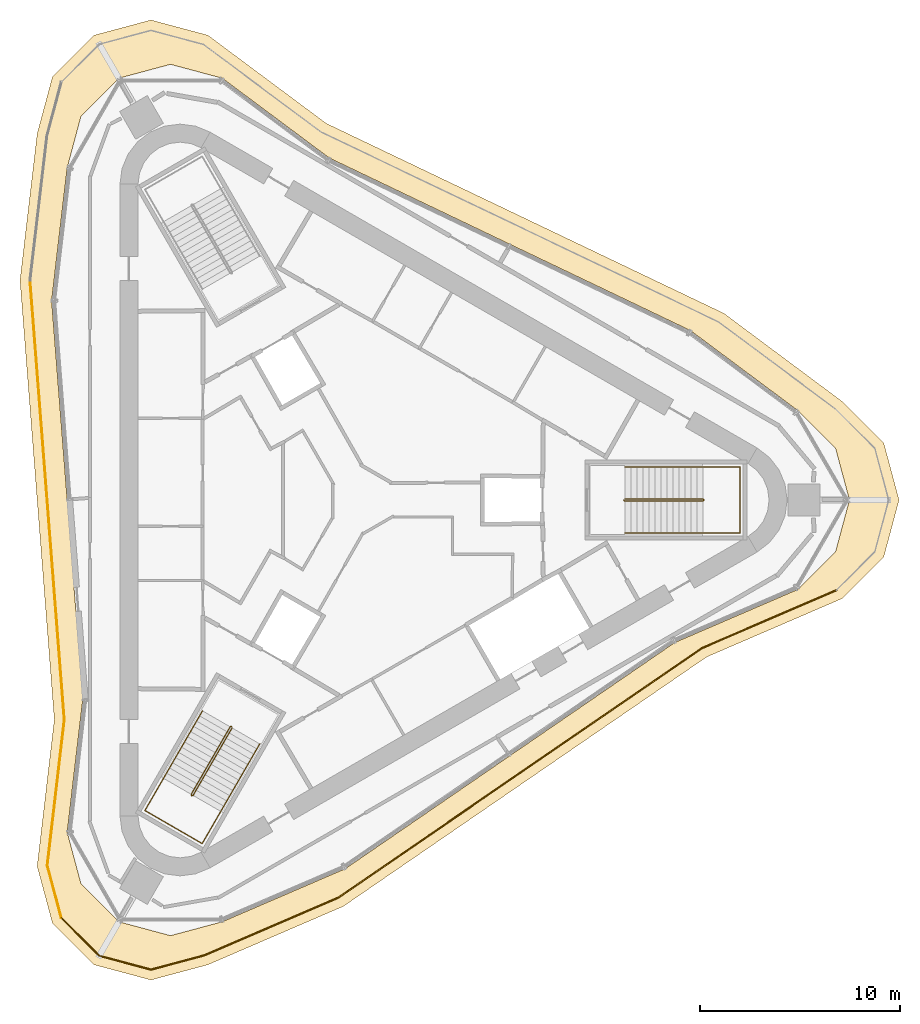
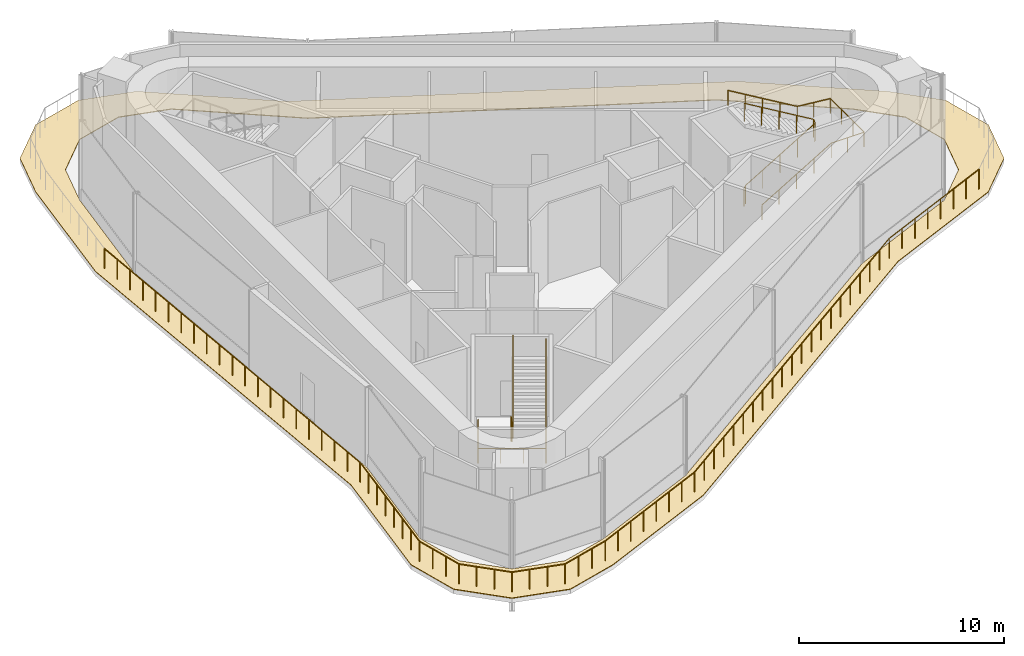
# One storey, part 7 of 8: 12 railings, 1 covering.
"""IFC4 building model written with IfcOpenShell, lengths in metres."""

from ifc_helpers import new_model, si_unit, direction, frame, origin, origin_2d, place, context, subcontext, project, spatial, polyline, circle, outline, extrude, material, layer, layer_set, type_object, element, save


model = new_model("IFC4")

# Units and contexts
model_context = context("Model", 3, precision=1e-05, world=origin(), true_north=direction((0.0, 1.0)))
body_context = subcontext(model_context, "Body", "Model", "MODEL_VIEW")
ifc_project = project(units=[si_unit("LENGTHUNIT", "METRE"), si_unit("AREAUNIT", "SQUARE_METRE"), si_unit("VOLUMEUNIT", "CUBIC_METRE"), si_unit("PLANEANGLEUNIT", "RADIAN"), si_unit("MASSUNIT", "GRAM", prefix="KILO")], contexts=[model_context])

# Site, building, storey
site_placement = place(None, origin())
site = spatial("IfcSite", under=ifc_project, at=site_placement, CompositionType="ELEMENT")
building_placement = place(site_placement, origin())
building = spatial("IfcBuilding", under=site, at=building_placement, Name="Tanit Gate Tower", CompositionType="ELEMENT")
storey_placement = place(building_placement, frame((0.0, 0.0, 435.300048828125)))
storey = spatial("IfcBuildingStorey", under=building, at=storey_placement, Name="L98", CompositionType="ELEMENT", Elevation=435.300048828125)

# Railings
ifc_material_1 = material(Name="Stainless steel", Category="steel")
railing_type_1 = type_object("IfcRailingType", Name="Guard 1200 terrace balustrade", PredefinedType="GUARDRAIL", material=ifc_material_1)
railing_1_placement = place(storey_placement, frame((23.6591796875, -4.49951171875, 0.0400390625)))
element("IfcRailing", 1, at=railing_1_placement, inside=storey, type_object=railing_type_1, Name="Terrace guard L98 1", PredefinedType="GUARDRAIL", context=body_context, shape_type="SweptSolid", body=[
    extrude(circle(Radius=0.02392578125, at=origin_2d()), frame((0.0, 0.0, 1.17578125), z_axis=(-0.918303791551, -0.395876428224, 0.0), x_axis=(0.395876428224, -0.918303791551, 0.0)), (0.0, 0.0, 1.0), 7.3134765625),
    extrude(circle(Radius=0.02099609375, at=origin_2d()), origin(), (0.0, 0.0, 1.0), 1.15185546875),
    extrude(circle(Radius=0.02099609375, at=origin_2d()), frame((-0.95947265625, -0.41357421875, 0.0)), (0.0, 0.0, 1.0), 1.15185546875),
    extrude(circle(Radius=0.02099609375, at=origin_2d()), frame((-1.9189453125, -0.8271484375, 0.0)), (0.0, 0.0, 1.0), 1.15185546875),
    extrude(circle(Radius=0.02099609375, at=origin_2d()), frame((-2.87841796875, -1.24072265625, 0.0)), (0.0, 0.0, 1.0), 1.15185546875),
    extrude(circle(Radius=0.02099609375, at=origin_2d()), frame((-3.837646484375, -1.654541015625, 0.0)), (0.0, 0.0, 1.0), 1.15185546875),
    extrude(circle(Radius=0.02099609375, at=origin_2d()), frame((-4.797119140625, -2.068115234375, 0.0)), (0.0, 0.0, 1.0), 1.15185546875),
    extrude(circle(Radius=0.02099609375, at=origin_2d()), frame((-5.756591796875, -2.481689453125, 0.0)), (0.0, 0.0, 1.0), 1.15185546875),
    extrude(circle(Radius=0.02099609375, at=origin_2d()), frame((-6.716064453125, -2.895263671875, 0.0)), (0.0, 0.0, 1.0), 1.15185546875),
])
railing_2_placement = place(storey_placement, frame((16.943115234375, -7.394775390625, 0.0400390625)))
element("IfcRailing", 2, at=railing_2_placement, inside=storey, type_object=railing_type_1, Name="Terrace guard L98 1", PredefinedType="GUARDRAIL", context=body_context, shape_type="SweptSolid", body=[
    extrude(circle(Radius=0.02392578125, at=origin_2d()), frame((0.0, 0.0, 1.17578125), z_axis=(-0.824485940476, -0.565882438283, 0.0), x_axis=(0.565882438283, -0.824485940476, 0.0)), (0.0, 0.0, 1.0), 10.99951171875),
    extrude(circle(Radius=0.02099609375, at=origin_2d()), origin(), (0.0, 0.0, 1.0), 1.15185546875),
    extrude(circle(Radius=0.02099609375, at=origin_2d()), frame((-0.906982421875, -0.62255859375, 0.0)), (0.0, 0.0, 1.0), 1.15185546875),
    extrude(circle(Radius=0.02099609375, at=origin_2d()), frame((-1.813720703125, -1.244873046875, 0.0)), (0.0, 0.0, 1.0), 1.15185546875),
    extrude(circle(Radius=0.02099609375, at=origin_2d()), frame((-2.720703125, -1.8671875, 0.0)), (0.0, 0.0, 1.0), 1.15185546875),
    extrude(circle(Radius=0.02099609375, at=origin_2d()), frame((-3.62744140625, -2.48974609375, 0.0)), (0.0, 0.0, 1.0), 1.15185546875),
    extrude(circle(Radius=0.02099609375, at=origin_2d()), frame((-4.534423828125, -3.1123046875, 0.0)), (0.0, 0.0, 1.0), 1.15185546875),
    extrude(circle(Radius=0.02099609375, at=origin_2d()), frame((-5.44140625, -3.734619140625, 0.0)), (0.0, 0.0, 1.0), 1.15185546875),
    extrude(circle(Radius=0.02099609375, at=origin_2d()), frame((-6.34814453125, -4.35693359375, 0.0)), (0.0, 0.0, 1.0), 1.15185546875),
    extrude(circle(Radius=0.02099609375, at=origin_2d()), frame((-7.255126953125, -4.9794921875, 0.0)), (0.0, 0.0, 1.0), 1.15185546875),
    extrude(circle(Radius=0.02099609375, at=origin_2d()), frame((-8.161865234375, -5.60205078125, 0.0)), (0.0, 0.0, 1.0), 1.15185546875),
    extrude(circle(Radius=0.02099609375, at=origin_2d()), frame((-9.06884765625, -6.224365234375, 0.0)), (0.0, 0.0, 1.0), 1.15185546875),
])
railing_3_placement = place(storey_placement, frame((7.874267578125, -13.619140625, 0.0400390625)))
element("IfcRailing", 3, at=railing_3_placement, inside=storey, type_object=railing_type_1, Name="Terrace guard L98 1", PredefinedType="GUARDRAIL", context=body_context, shape_type="SweptSolid", body=[
    extrude(circle(Radius=0.02392578125, at=origin_2d()), frame((0.0, 0.0, 1.17578125), z_axis=(-0.82447558474, -0.565897526208, 0.0), x_axis=(0.565897526208, -0.82447558474, 0.0)), (0.0, 0.0, 1.0), 10.99951171875),
    extrude(circle(Radius=0.02099609375, at=origin_2d()), origin(), (0.0, 0.0, 1.0), 1.15185546875),
    extrude(circle(Radius=0.02099609375, at=origin_2d()), frame((-0.906982421875, -0.62255859375, 0.0)), (0.0, 0.0, 1.0), 1.15185546875),
    extrude(circle(Radius=0.02099609375, at=origin_2d()), frame((-1.813720703125, -1.244873046875, 0.0)), (0.0, 0.0, 1.0), 1.15185546875),
    extrude(circle(Radius=0.02099609375, at=origin_2d()), frame((-2.720703125, -1.867431640625, 0.0)), (0.0, 0.0, 1.0), 1.15185546875),
    extrude(circle(Radius=0.02099609375, at=origin_2d()), frame((-3.62744140625, -2.48974609375, 0.0)), (0.0, 0.0, 1.0), 1.15185546875),
    extrude(circle(Radius=0.02099609375, at=origin_2d()), frame((-4.534423828125, -3.1123046875, 0.0)), (0.0, 0.0, 1.0), 1.15185546875),
    extrude(circle(Radius=0.02099609375, at=origin_2d()), frame((-5.44140625, -3.73486328125, 0.0)), (0.0, 0.0, 1.0), 1.15185546875),
    extrude(circle(Radius=0.02099609375, at=origin_2d()), frame((-6.34814453125, -4.357177734375, 0.0)), (0.0, 0.0, 1.0), 1.15185546875),
    extrude(circle(Radius=0.02099609375, at=origin_2d()), frame((-7.255126953125, -4.979736328125, 0.0)), (0.0, 0.0, 1.0), 1.15185546875),
    extrude(circle(Radius=0.02099609375, at=origin_2d()), frame((-8.161865234375, -5.60205078125, 0.0)), (0.0, 0.0, 1.0), 1.15185546875),
    extrude(circle(Radius=0.02099609375, at=origin_2d()), frame((-9.06884765625, -6.224609375, 0.0)), (0.0, 0.0, 1.0), 1.15185546875),
])
railing_4_placement = place(storey_placement, frame((-1.194580078125, -19.84375, 0.0400390625)))
element("IfcRailing", 4, at=railing_4_placement, inside=storey, type_object=railing_type_1, Name="Terrace guard L98 1", PredefinedType="GUARDRAIL", context=body_context, shape_type="SweptSolid", body=[
    extrude(circle(Radius=0.02392578125, at=origin_2d()), frame((0.0, 0.0, 1.17578125), z_axis=(-0.91830810231, -0.395866428523, 0.0), x_axis=(0.395866428523, -0.91830810231, 0.0)), (0.0, 0.0, 1.0), 7.275390625),
    extrude(circle(Radius=0.02392578125, at=origin_2d()), frame((-6.68115234375, -2.880126953125, 1.17578125), z_axis=(-0.965931532633, -0.258797747796, 0.0), x_axis=(0.258797747796, -0.965931532633, 0.0)), (0.0, 0.0, 1.0), 2.770751953125),
    extrude(circle(Radius=0.02099609375, at=origin_2d()), origin(), (0.0, 0.0, 1.0), 1.15185546875),
    extrude(circle(Radius=0.02099609375, at=origin_2d()), frame((-0.954345703125, -0.411376953125, 0.0)), (0.0, 0.0, 1.0), 1.15185546875),
    extrude(circle(Radius=0.02099609375, at=origin_2d()), frame((-1.908935546875, -0.822998046875, 0.0)), (0.0, 0.0, 1.0), 1.15185546875),
    extrude(circle(Radius=0.02099609375, at=origin_2d()), frame((-2.86328125, -1.234375, 0.0)), (0.0, 0.0, 1.0), 1.15185546875),
    extrude(circle(Radius=0.02099609375, at=origin_2d()), frame((-3.81787109375, -1.645751953125, 0.0)), (0.0, 0.0, 1.0), 1.15185546875),
    extrude(circle(Radius=0.02099609375, at=origin_2d()), frame((-4.772216796875, -2.05712890625, 0.0)), (0.0, 0.0, 1.0), 1.15185546875),
    extrude(circle(Radius=0.02099609375, at=origin_2d()), frame((-5.726806640625, -2.46875, 0.0)), (0.0, 0.0, 1.0), 1.15185546875),
    extrude(circle(Radius=0.02099609375, at=origin_2d()), frame((-6.68115234375, -2.880126953125, 0.0)), (0.0, 0.0, 1.0), 1.15185546875),
    extrude(circle(Radius=0.02099609375, at=origin_2d()), frame((-7.5732421875, -3.119140625, 0.0)), (0.0, 0.0, 1.0), 1.15185546875),
    extrude(circle(Radius=0.02099609375, at=origin_2d()), frame((-8.46533203125, -3.358154296875, 0.0)), (0.0, 0.0, 1.0), 1.15185546875),
    extrude(circle(Radius=0.02099609375, at=origin_2d()), frame((-9.357421875, -3.59716796875, 0.0)), (0.0, 0.0, 1.0), 1.15185546875),
])
railing_5_placement = place(storey_placement, frame((-10.552001953125, -23.44091796875, 0.0400390625)))
element("IfcRailing", 5, at=railing_5_placement, inside=storey, type_object=railing_type_1, Name="Terrace guard L98 1", PredefinedType="GUARDRAIL", context=body_context, shape_type="SweptSolid", body=[
    extrude(circle(Radius=0.02392578125, at=origin_2d()), frame((0.0, 0.0, 1.17578125), z_axis=(-0.965928077566, 0.258810643077, 0.0), x_axis=(-0.258810643077, -0.965928077566, 0.0)), (0.0, 0.0, 1.0), 2.67333984375),
    extrude(circle(Radius=0.02392578125, at=origin_2d()), frame((-2.582275390625, 0.69189453125, 1.17578125), z_axis=(-0.707106781187, 0.707106781187, 0.0), x_axis=(-0.707106781187, -0.707106781187, 0.0)), (0.0, 0.0, 1.0), 2.673095703125),
    extrude(circle(Radius=0.02099609375, at=origin_2d()), origin(), (0.0, 0.0, 1.0), 1.15185546875),
    extrude(circle(Radius=0.02099609375, at=origin_2d()), frame((-0.86083984375, 0.230712890625, 0.0)), (0.0, 0.0, 1.0), 1.15185546875),
    extrude(circle(Radius=0.02099609375, at=origin_2d()), frame((-1.721435546875, 0.461181640625, 0.0)), (0.0, 0.0, 1.0), 1.15185546875),
    extrude(circle(Radius=0.02099609375, at=origin_2d()), frame((-2.582275390625, 0.69189453125, 0.0)), (0.0, 0.0, 1.0), 1.15185546875),
    extrude(circle(Radius=0.02099609375, at=origin_2d()), frame((-3.21240234375, 1.322021484375, 0.0)), (0.0, 0.0, 1.0), 1.15185546875),
    extrude(circle(Radius=0.02099609375, at=origin_2d()), frame((-3.84228515625, 1.951904296875, 0.0)), (0.0, 0.0, 1.0), 1.15185546875),
    extrude(circle(Radius=0.02099609375, at=origin_2d()), frame((-4.472412109375, 2.58203125, 0.0)), (0.0, 0.0, 1.0), 1.15185546875),
])
railing_6_placement = place(storey_placement, frame((-15.0244140625, -20.85888671875, 0.0400390625)))
element("IfcRailing", 6, at=railing_6_placement, inside=storey, type_object=railing_type_1, Name="Terrace guard L98 1", PredefinedType="GUARDRAIL", context=body_context, shape_type="SweptSolid", body=[
    extrude(circle(Radius=0.02392578125, at=origin_2d()), frame((0.0, 0.0, 1.17578125), z_axis=(-0.258856096713, 0.965915897578, 0.0), x_axis=(-0.965915897578, -0.258856096713, 0.0)), (0.0, 0.0, 1.0), 2.711669921875),
    extrude(circle(Radius=0.02392578125, at=origin_2d()), frame((-0.701904296875, 2.619140625, 1.17578125), z_axis=(0.11633571969, 0.993209947757, 0.0), x_axis=(-0.993209947757, 0.11633571969, 0.0)), (0.0, 0.0, 1.0), 7.3134765625),
    extrude(circle(Radius=0.02099609375, at=origin_2d()), origin(), (0.0, 0.0, 1.0), 1.15185546875),
    extrude(circle(Radius=0.02099609375, at=origin_2d()), frame((-0.23388671875, 0.873046875, 0.0)), (0.0, 0.0, 1.0), 1.15185546875),
    extrude(circle(Radius=0.02099609375, at=origin_2d()), frame((-0.468017578125, 1.74609375, 0.0)), (0.0, 0.0, 1.0), 1.15185546875),
    extrude(circle(Radius=0.02099609375, at=origin_2d()), frame((-0.701904296875, 2.619140625, 0.0)), (0.0, 0.0, 1.0), 1.15185546875),
    extrude(circle(Radius=0.02099609375, at=origin_2d()), frame((-0.580322265625, 3.65673828125, 0.0)), (0.0, 0.0, 1.0), 1.15185546875),
    extrude(circle(Radius=0.02099609375, at=origin_2d()), frame((-0.458740234375, 4.694580078125, 0.0)), (0.0, 0.0, 1.0), 1.15185546875),
    extrude(circle(Radius=0.02099609375, at=origin_2d()), frame((-0.337158203125, 5.732177734375, 0.0)), (0.0, 0.0, 1.0), 1.15185546875),
    extrude(circle(Radius=0.02099609375, at=origin_2d()), frame((-0.2158203125, 6.77001953125, 0.0)), (0.0, 0.0, 1.0), 1.15185546875),
    extrude(circle(Radius=0.02099609375, at=origin_2d()), frame((-0.09423828125, 7.8076171875, 0.0)), (0.0, 0.0, 1.0), 1.15185546875),
    extrude(circle(Radius=0.02099609375, at=origin_2d()), frame((0.02734375, 8.845458984375, 0.0)), (0.0, 0.0, 1.0), 1.15185546875),
    extrude(circle(Radius=0.02099609375, at=origin_2d()), frame((0.14892578125, 9.883056640625, 0.0)), (0.0, 0.0, 1.0), 1.15185546875),
])
for number, where, name in (
    (7, (-14.87548828125, -10.975830078125, 0.0400390625), "Terrace guard L98 1"),
    (8, (-15.731689453125, -0.009765625, 0.0400390625), "Terrace guard L98 1"),
):
    element("IfcRailing", number, at=place(storey_placement, frame(where)), inside=storey, type_object=railing_type_1, Name=name, PredefinedType="GUARDRAIL", context=body_context, shape_type="SweptSolid", body=[
        extrude(circle(Radius=0.02392578125, at=origin_2d()), frame((0.0, 0.0, 1.17578125), z_axis=(-0.077840442696, 0.996965829646, 0.0), x_axis=(-0.996965829646, -0.077840442696, 0.0)), (0.0, 0.0, 1.0), 10.99951171875),
        extrude(circle(Radius=0.02099609375, at=origin_2d()), origin(), (0.0, 0.0, 1.0), 1.15185546875),
        extrude(circle(Radius=0.02099609375, at=origin_2d()), frame((-0.085693359375, 1.0966796875, 0.0)), (0.0, 0.0, 1.0), 1.15185546875),
        extrude(circle(Radius=0.02099609375, at=origin_2d()), frame((-0.171142578125, 2.193115234375, 0.0)), (0.0, 0.0, 1.0), 1.15185546875),
        extrude(circle(Radius=0.02099609375, at=origin_2d()), frame((-0.2568359375, 3.289794921875, 0.0)), (0.0, 0.0, 1.0), 1.15185546875),
        extrude(circle(Radius=0.02099609375, at=origin_2d()), frame((-0.342529296875, 4.386474609375, 0.0)), (0.0, 0.0, 1.0), 1.15185546875),
        extrude(circle(Radius=0.02099609375, at=origin_2d()), frame((-0.42822265625, 5.48291015625, 0.0)), (0.0, 0.0, 1.0), 1.15185546875),
        extrude(circle(Radius=0.02099609375, at=origin_2d()), frame((-0.513671875, 6.57958984375, 0.0)), (0.0, 0.0, 1.0), 1.15185546875),
        extrude(circle(Radius=0.02099609375, at=origin_2d()), frame((-0.599365234375, 7.67626953125, 0.0)), (0.0, 0.0, 1.0), 1.15185546875),
        extrude(circle(Radius=0.02099609375, at=origin_2d()), frame((-0.68505859375, 8.77294921875, 0.0)), (0.0, 0.0, 1.0), 1.15185546875),
        extrude(circle(Radius=0.02099609375, at=origin_2d()), frame((-0.7705078125, 9.869384765625, 0.0)), (0.0, 0.0, 1.0), 1.15185546875),
        extrude(circle(Radius=0.02099609375, at=origin_2d()), frame((-0.856201171875, 10.966064453125, 0.0)), (0.0, 0.0, 1.0), 1.15185546875),
    ])
ifc_material_2 = material(Name="Stainless steel balustrade", Category="steel")
railing_type_2 = type_object("IfcRailingType", Name="INT-STAIR-GUARD", PredefinedType="GUARDRAIL", material=ifc_material_2)
railing_7_placement = place(storey_placement, frame((13.044921875, 0.0048828125, 0.0)))
element("IfcRailing", 9, at=railing_7_placement, inside=storey, type_object=railing_type_2, Name="L98 S1 stair guard 1", PredefinedType="GUARDRAIL", context=body_context, shape_type="SweptSolid", body=[
    extrude(circle(Radius=0.02392578125, at=origin_2d()), frame((0.0, 0.0, 1.076171875), z_axis=(0.0, -1.0, 0.0), x_axis=(1.0, 0.0, 0.0)), (0.0, 0.0, 1.0), 0.009765625),
    extrude(circle(Radius=0.02392578125, at=origin_2d()), frame((0.0, -0.009765625, 1.076171875), z_axis=(0.260684529273, -0.260684529273, 0.929562882432), x_axis=(0.707106781187, 0.707106781187, 0.0)), (0.0, 0.0, 1.0), 0.19189453125),
    extrude(circle(Radius=0.02392578125, at=origin_2d()), frame((0.050048828125, -0.059814453125, 1.25439453125), z_axis=(0.859291195736, 0.0, 0.511486696729), x_axis=(0.0, 1.0, 0.0)), (0.0, 0.0, 1.0), 4.538818359375),
    extrude(circle(Radius=0.02392578125, at=origin_2d()), frame((3.9501953125, -0.059814453125, 3.576171875), z_axis=(0.705375805398, 0.708833529934, 0.0), x_axis=(-0.708833529934, 0.705375805398, 0.0)), (0.0, 0.0, 1.0), 0.070556640625),
    extrude(circle(Radius=0.02392578125, at=origin_2d()), frame((4.0, -0.009765625, 3.576171875), z_axis=(0.0, 1.0, 0.0), x_axis=(-1.0, 0.0, 0.0)), (0.0, 0.0, 1.0), 0.009765625),
    extrude(circle(Radius=0.02392578125, at=origin_2d()), frame((4.0, 0.0, 3.576171875), z_axis=(-0.25949872427, 0.26077077684, 0.929870428634), x_axis=(-0.708833529934, -0.705375805398, 0.0)), (0.0, 0.0, 1.0), 0.19189453125),
    extrude(circle(Radius=0.02392578125, at=origin_2d()), frame((3.9501953125, 0.050048828125, 3.75439453125), z_axis=(-0.859291195736, 0.0, 0.511486696729), x_axis=(0.0, -1.0, 0.0)), (0.0, 0.0, 1.0), 4.538818359375),
    extrude(circle(Radius=0.02099609375, at=origin_2d()), origin(), (0.0, 0.0, 1.0), 1.052001953125),
    extrude(circle(Radius=0.02099609375, at=origin_2d()), frame((0.0, -0.009765625, 0.0)), (0.0, 0.0, 1.0), 1.052001953125),
    extrude(circle(Radius=0.02099609375, at=origin_2d()), frame((0.050048828125, -0.059814453125, 0.178466796875)), (0.0, 0.0, 1.0), 1.052001953125),
    extrude(circle(Radius=0.02099609375, at=origin_2d()), frame((1.025146484375, -0.059814453125, 0.7587890625)), (0.0, 0.0, 1.0), 1.052001953125),
    extrude(circle(Radius=0.02099609375, at=origin_2d()), frame((2.0, -0.059814453125, 1.33935546875)), (0.0, 0.0, 1.0), 1.052001953125),
    extrude(circle(Radius=0.02099609375, at=origin_2d()), frame((2.97509765625, -0.059814453125, 1.919677734375)), (0.0, 0.0, 1.0), 1.052001953125),
    extrude(circle(Radius=0.02099609375, at=origin_2d()), frame((3.9501953125, -0.059814453125, 2.5)), (0.0, 0.0, 1.0), 1.052001953125),
    extrude(circle(Radius=0.02099609375, at=origin_2d()), frame((4.0, -0.009765625, 2.5)), (0.0, 0.0, 1.0), 1.052001953125),
    extrude(circle(Radius=0.02099609375, at=origin_2d()), frame((4.0, 0.0, 2.5)), (0.0, 0.0, 1.0), 1.052001953125),
    extrude(circle(Radius=0.02099609375, at=origin_2d()), frame((3.9501953125, 0.050048828125, 2.678466796875)), (0.0, 0.0, 1.0), 1.052001953125),
    extrude(circle(Radius=0.02099609375, at=origin_2d()), frame((2.97509765625, 0.050048828125, 3.2587890625)), (0.0, 0.0, 1.0), 1.052001953125),
    extrude(circle(Radius=0.02099609375, at=origin_2d()), frame((2.0, 0.050048828125, 3.83935546875)), (0.0, 0.0, 1.0), 1.052001953125),
    extrude(circle(Radius=0.02099609375, at=origin_2d()), frame((1.025146484375, 0.050048828125, 4.419677734375)), (0.0, 0.0, 1.0), 1.052001953125),
    extrude(circle(Radius=0.02099609375, at=origin_2d()), frame((0.050048828125, 0.050048828125, 5.0)), (0.0, 0.0, 1.0), 1.052001953125),
])
railing_8_placement = place(storey_placement, frame((-6.51806640625, -11.2998046875, 0.0)))
element("IfcRailing", 10, at=railing_8_placement, inside=storey, type_object=railing_type_2, Name="L98 S3 stair guard 1", PredefinedType="GUARDRAIL", context=body_context, shape_type="SweptSolid", body=[
    extrude(circle(Radius=0.02392578125, at=origin_2d()), frame((0.0, 0.0, 1.076171875), z_axis=(-0.874157276122, 0.485642931179, 0.0), x_axis=(-0.485642931179, -0.874157276122, 0.0)), (0.0, 0.0, 1.0), 0.010009765625),
    extrude(circle(Radius=0.02392578125, at=origin_2d()), frame((-0.0087890625, 0.0048828125, 1.076171875), z_axis=(-0.356107019809, -0.094113998092, 0.929693683858), x_axis=(0.255512919477, -0.966805641264, 0.0)), (0.0, 0.0, 1.0), 0.19189453125),
    extrude(circle(Radius=0.02392578125, at=origin_2d()), frame((-0.0771484375, -0.01318359375, 1.25439453125), z_axis=(-0.429619468083, -0.74418246412, 0.511487607612), x_axis=(0.866042777325, -0.499969906938, 0.0)), (0.0, 0.0, 1.0), 4.538818359375),
    extrude(circle(Radius=0.02392578125, at=origin_2d()), frame((-2.027099609375, -3.390869140625, 3.576171875), z_axis=(0.259601060869, -0.965715946433, 0.0), x_axis=(0.965715946433, 0.259601060869, 0.0)), (0.0, 0.0, 1.0), 0.070556640625),
    extrude(circle(Radius=0.02392578125, at=origin_2d()), frame((-2.0087890625, -3.458984375, 3.576171875), z_axis=(0.863778900898, -0.503871025524, 0.0), x_axis=(0.503871025524, 0.863778900898, 0.0)), (0.0, 0.0, 1.0), 0.01025390625),
    extrude(circle(Radius=0.02392578125, at=origin_2d()), frame((-2.0, -3.464111328125, 3.576171875), z_axis=(0.354952926692, 0.095417453412, 0.930002112587), x_axis=(-0.259601060869, 0.965715946433, 0.0)), (0.0, 0.0, 1.0), 0.19189453125),
    extrude(circle(Radius=0.02392578125, at=origin_2d()), frame((-1.931884765625, -3.44580078125, 3.75439453125), z_axis=(0.429680527064, 0.74414126332, 0.511496260873), x_axis=(-0.866000020948, 0.500043961785, 0.0)), (0.0, 0.0, 1.0), 4.538818359375),
    extrude(circle(Radius=0.02099609375, at=origin_2d()), origin(), (0.0, 0.0, 1.0), 1.052001953125),
    extrude(circle(Radius=0.02099609375, at=origin_2d()), frame((-0.0087890625, 0.0048828125, 0.0)), (0.0, 0.0, 1.0), 1.052001953125),
    extrude(circle(Radius=0.02099609375, at=origin_2d()), frame((-0.0771484375, -0.01318359375, 0.178466796875)), (0.0, 0.0, 1.0), 1.052001953125),
    extrude(circle(Radius=0.02099609375, at=origin_2d()), frame((-0.564697265625, -0.857666015625, 0.7587890625)), (0.0, 0.0, 1.0), 1.052001953125),
    extrude(circle(Radius=0.02099609375, at=origin_2d()), frame((-1.05224609375, -1.7021484375, 1.33935546875)), (0.0, 0.0, 1.0), 1.052001953125),
    extrude(circle(Radius=0.02099609375, at=origin_2d()), frame((-1.53955078125, -2.54638671875, 1.919677734375)), (0.0, 0.0, 1.0), 1.052001953125),
    extrude(circle(Radius=0.02099609375, at=origin_2d()), frame((-2.027099609375, -3.390869140625, 2.5)), (0.0, 0.0, 1.0), 1.052001953125),
    extrude(circle(Radius=0.02099609375, at=origin_2d()), frame((-2.0087890625, -3.458984375, 2.5)), (0.0, 0.0, 1.0), 1.052001953125),
    extrude(circle(Radius=0.02099609375, at=origin_2d()), frame((-2.0, -3.464111328125, 2.5)), (0.0, 0.0, 1.0), 1.052001953125),
    extrude(circle(Radius=0.02099609375, at=origin_2d()), frame((-1.931884765625, -3.44580078125, 2.678466796875)), (0.0, 0.0, 1.0), 1.052001953125),
    extrude(circle(Radius=0.02099609375, at=origin_2d()), frame((-1.4443359375, -2.6015625, 3.2587890625)), (0.0, 0.0, 1.0), 1.052001953125),
    extrude(circle(Radius=0.02099609375, at=origin_2d()), frame((-0.956787109375, -1.757080078125, 3.83935546875)), (0.0, 0.0, 1.0), 1.052001953125),
    extrude(circle(Radius=0.02099609375, at=origin_2d()), frame((-0.46923828125, -0.91259765625, 4.419677734375)), (0.0, 0.0, 1.0), 1.052001953125),
    extrude(circle(Radius=0.02099609375, at=origin_2d()), frame((0.018310546875, -0.068359375, 5.0)), (0.0, 0.0, 1.0), 1.052001953125),
])
ifc_material_3 = material(Name="Stainless steel handrail", Category="steel")
railing_type_3 = type_object("IfcRailingType", Name="INT-STAIR-HANDRAIL", PredefinedType="HANDRAIL", material=ifc_material_3)
railing_9_placement = place(storey_placement, frame((13.094970703125, -1.64990234375, 0.178466796875)))
element("IfcRailing", 11, at=railing_9_placement, inside=storey, type_object=railing_type_3, Name="L98 S1 stair handrail 1", PredefinedType="HANDRAIL", context=body_context, shape_type="SweptSolid", body=[
    extrude(circle(Radius=0.02392578125, at=origin_2d()), frame((0.0, 0.0, 0.8759765625), z_axis=(0.859291195736, 0.0, 0.511486696729), x_axis=(0.0, 1.0, 0.0)), (0.0, 0.0, 1.0), 4.538818359375),
    extrude(circle(Radius=0.02392578125, at=origin_2d()), frame((3.900146484375, 0.0, 3.197265625), z_axis=(1.0, 0.0, 0.0), x_axis=(0.0, 1.0, 0.0)), (0.0, 0.0, 1.0), 1.85498046875),
    extrude(circle(Radius=0.02392578125, at=origin_2d()), frame((5.755126953125, 0.0, 3.197265625), z_axis=(0.0, 1.0, 0.0), x_axis=(-1.0, 0.0, 0.0)), (0.0, 0.0, 1.0), 3.2998046875),
    extrude(circle(Radius=0.02392578125, at=origin_2d()), frame((5.755126953125, 3.2998046875, 3.197265625), z_axis=(-0.995403746914, 0.0, 0.09576732548), x_axis=(0.0, -1.0, 0.0)), (0.0, 0.0, 1.0), 1.863525390625),
    extrude(circle(Radius=0.02392578125, at=origin_2d()), frame((3.900146484375, 3.2998046875, 3.3759765625), z_axis=(-0.859291195736, 0.0, 0.511486696729), x_axis=(0.0, -1.0, 0.0)), (0.0, 0.0, 1.0), 4.538818359375),
    extrude(circle(Radius=0.02099609375, at=origin_2d()), origin(), (0.0, 0.0, 1.0), 0.851806640625),
    extrude(circle(Radius=0.02099609375, at=origin_2d()), frame((0.97509765625, 0.0, 0.580322265625)), (0.0, 0.0, 1.0), 0.851806640625),
    extrude(circle(Radius=0.02099609375, at=origin_2d()), frame((1.9501953125, 0.0, 1.16064453125)), (0.0, 0.0, 1.0), 0.851806640625),
    extrude(circle(Radius=0.02099609375, at=origin_2d()), frame((2.925048828125, 0.0, 1.7412109375)), (0.0, 0.0, 1.0), 0.851806640625),
    extrude(circle(Radius=0.02099609375, at=origin_2d()), frame((3.900146484375, 0.0, 2.321533203125)), (0.0, 0.0, 1.0), 0.851806640625),
    extrude(circle(Radius=0.02099609375, at=origin_2d()), frame((4.82763671875, 0.0, 2.321533203125)), (0.0, 0.0, 1.0), 0.851806640625),
    extrude(circle(Radius=0.02099609375, at=origin_2d()), frame((5.755126953125, 0.0, 2.321533203125)), (0.0, 0.0, 1.0), 0.851806640625),
    extrude(circle(Radius=0.02099609375, at=origin_2d()), frame((5.755126953125, 1.099853515625, 2.321533203125)), (0.0, 0.0, 1.0), 0.851806640625),
    extrude(circle(Radius=0.02099609375, at=origin_2d()), frame((5.755126953125, 2.199951171875, 2.321533203125)), (0.0, 0.0, 1.0), 0.851806640625),
    extrude(circle(Radius=0.02099609375, at=origin_2d()), frame((5.755126953125, 3.2998046875, 2.321533203125)), (0.0, 0.0, 1.0), 0.851806640625),
    extrude(circle(Radius=0.02099609375, at=origin_2d()), frame((4.82763671875, 3.2998046875, 2.41064453125)), (0.0, 0.0, 1.0), 0.851806640625),
    extrude(circle(Radius=0.02099609375, at=origin_2d()), frame((3.900146484375, 3.2998046875, 2.5)), (0.0, 0.0, 1.0), 0.851806640625),
    extrude(circle(Radius=0.02099609375, at=origin_2d()), frame((2.925048828125, 3.2998046875, 3.080322265625)), (0.0, 0.0, 1.0), 0.851806640625),
    extrude(circle(Radius=0.02099609375, at=origin_2d()), frame((1.9501953125, 3.2998046875, 3.66064453125)), (0.0, 0.0, 1.0), 0.851806640625),
    extrude(circle(Radius=0.02099609375, at=origin_2d()), frame((0.97509765625, 3.2998046875, 4.2412109375)), (0.0, 0.0, 1.0), 0.851806640625),
    extrude(circle(Radius=0.02099609375, at=origin_2d()), frame((0.0, 3.2998046875, 4.821533203125)), (0.0, 0.0, 1.0), 0.851806640625),
])
railing_10_placement = place(storey_placement, frame((-7.9765625, -10.515625, 0.178466796875)))
element("IfcRailing", 12, at=railing_10_placement, inside=storey, type_object=railing_type_3, Name="L98 S3 stair handrail 1", PredefinedType="HANDRAIL", context=body_context, shape_type="SweptSolid", body=[
    extrude(circle(Radius=0.02392578125, at=origin_2d()), frame((0.0, 0.0, 0.8759765625), z_axis=(-0.429636665928, -0.744158462057, 0.511508082673), x_axis=(0.866027128446, -0.499997012787, 0.0)), (0.0, 0.0, 1.0), 4.53857421875),
    extrude(circle(Radius=0.02392578125, at=origin_2d()), frame((-1.949951171875, -3.37744140625, 3.197265625), z_axis=(-0.500003477455, -0.866023396066, 0.0), x_axis=(0.866023396066, -0.500003477455, 0.0)), (0.0, 0.0, 1.0), 1.85498046875),
    extrude(circle(Radius=0.02392578125, at=origin_2d()), frame((-2.87744140625, -4.98388671875, 3.197265625), z_axis=(0.866008176907, -0.50002983664, 0.0), x_axis=(0.50002983664, 0.866008176907, 0.0)), (0.0, 0.0, 1.0), 3.300048828125),
    extrude(circle(Radius=0.02392578125, at=origin_2d()), frame((-0.01953125, -6.634033203125, 3.197265625), z_axis=(0.497705303182, 0.862042878372, 0.095767985424), x_axis=(-0.866023396066, 0.500003477455, 0.0)), (0.0, 0.0, 1.0), 1.863525390625),
    extrude(circle(Radius=0.02392578125, at=origin_2d()), frame((0.907958984375, -5.027587890625, 3.3759765625), z_axis=(0.429619468083, 0.74418246412, 0.511487607612), x_axis=(-0.866042777325, 0.499969906938, 0.0)), (0.0, 0.0, 1.0), 4.538818359375),
    extrude(circle(Radius=0.02099609375, at=origin_2d()), origin(), (0.0, 0.0, 1.0), 0.851806640625),
    extrude(circle(Radius=0.02099609375, at=origin_2d()), frame((-0.487548828125, -0.84423828125, 0.580322265625)), (0.0, 0.0, 1.0), 0.851806640625),
    extrude(circle(Radius=0.02099609375, at=origin_2d()), frame((-0.97509765625, -1.688720703125, 1.16064453125)), (0.0, 0.0, 1.0), 0.851806640625),
    extrude(circle(Radius=0.02099609375, at=origin_2d()), frame((-1.46240234375, -2.533203125, 1.7412109375)), (0.0, 0.0, 1.0), 0.851806640625),
    extrude(circle(Radius=0.02099609375, at=origin_2d()), frame((-1.949951171875, -3.37744140625, 2.321533203125)), (0.0, 0.0, 1.0), 0.851806640625),
    extrude(circle(Radius=0.02099609375, at=origin_2d()), frame((-2.41357421875, -4.1806640625, 2.321533203125)), (0.0, 0.0, 1.0), 0.851806640625),
    extrude(circle(Radius=0.02099609375, at=origin_2d()), frame((-2.87744140625, -4.98388671875, 2.321533203125)), (0.0, 0.0, 1.0), 0.851806640625),
    extrude(circle(Radius=0.02099609375, at=origin_2d()), frame((-1.9248046875, -5.533935546875, 2.321533203125)), (0.0, 0.0, 1.0), 0.851806640625),
    extrude(circle(Radius=0.02099609375, at=origin_2d()), frame((-0.97216796875, -6.083984375, 2.321533203125)), (0.0, 0.0, 1.0), 0.851806640625),
    extrude(circle(Radius=0.02099609375, at=origin_2d()), frame((-0.01953125, -6.634033203125, 2.321533203125)), (0.0, 0.0, 1.0), 0.851806640625),
    extrude(circle(Radius=0.02099609375, at=origin_2d()), frame((0.4443359375, -5.830810546875, 2.41064453125)), (0.0, 0.0, 1.0), 0.851806640625),
    extrude(circle(Radius=0.02099609375, at=origin_2d()), frame((0.907958984375, -5.027587890625, 2.5)), (0.0, 0.0, 1.0), 0.851806640625),
    extrude(circle(Radius=0.02099609375, at=origin_2d()), frame((1.3955078125, -4.18310546875, 3.080322265625)), (0.0, 0.0, 1.0), 0.851806640625),
    extrude(circle(Radius=0.02099609375, at=origin_2d()), frame((1.8828125, -3.3388671875, 3.66064453125)), (0.0, 0.0, 1.0), 0.851806640625),
    extrude(circle(Radius=0.02099609375, at=origin_2d()), frame((2.370361328125, -2.494384765625, 4.2412109375)), (0.0, 0.0, 1.0), 0.851806640625),
    extrude(circle(Radius=0.02099609375, at=origin_2d()), frame((2.85791015625, -1.64990234375, 4.821533203125)), (0.0, 0.0, 1.0), 0.851806640625),
])

# Covering
ifc_material_4 = material(Name="Stone paving", Category="masonry")
ifc_layer = layer(ifc_material_4, 0.0400390625)
ifc_layer_set = layer_set([ifc_layer], Name="Terrace deck paving 40")
covering_type = type_object("IfcCoveringType", Name="Terrace deck paving 40", PredefinedType="FLOORING", material=ifc_layer_set)
covering_placement = place(storey_placement, origin())
element("IfcCovering", 13, at=covering_placement, inside=storey, type_object=covering_type, Name="Terrace deck paving L98", PredefinedType="FLOORING", context=body_context, shape_type="SweptSolid", body=[
    extrude(outline(polyline([(26.02490234375, 2.841064453125), (26.7861328125, 0.0), (26.02490234375, -2.841064453125), (23.945068359375, -4.920654296875), (17.185791015625, -7.83447265625), (-0.951904296875, -20.283447265625), (-7.711181640625, -23.197509765625), (-10.552001953125, -23.958740234375), (-13.39306640625, -23.197509765625), (-15.47265625, -21.11767578125), (-16.23388671875, -18.27685546875), (-15.377685546875, -10.966064453125), (-17.090087890625, 10.966064453125), (-16.23388671875, 18.27685546875), (-15.47265625, 21.11767578125), (-13.39306640625, 23.197509765625), (-10.552001953125, 23.958740234375), (-7.711181640625, 23.197509765625), (-1.807861328125, 18.800537109375), (18.0419921875, 9.3173828125), (23.945068359375, 4.920654296875), (26.02490234375, 2.841064453125)]), holes=[polyline([(16.375, 8.45654296875), (-1.640869140625, 17.0634765625), (-6.99853515625, 21.053955078125), (-9.5771484375, 21.744873046875), (-12.155517578125, 21.053955078125), (-14.04296875, 19.16650390625), (-14.73388671875, 16.587890625), (-15.510986328125, 9.952880859375), (-13.95703125, -9.952880859375), (-14.73388671875, -16.587890625), (-14.04296875, -19.16650390625), (-12.155517578125, -21.053955078125), (-9.5771484375, -21.744873046875), (-6.99853515625, -21.053955078125), (-0.86376953125, -18.409423828125), (15.597900390625, -7.110595703125), (21.732666015625, -4.466064453125), (23.6201171875, -2.578369140625), (24.31103515625, 0.0), (23.6201171875, 2.578369140625), (21.732666015625, 4.466064453125), (16.375, 8.45654296875)])]), origin(), (0.0, 0.0, 1.0), 0.0400390625),
])

save(model, "model.ifc")
